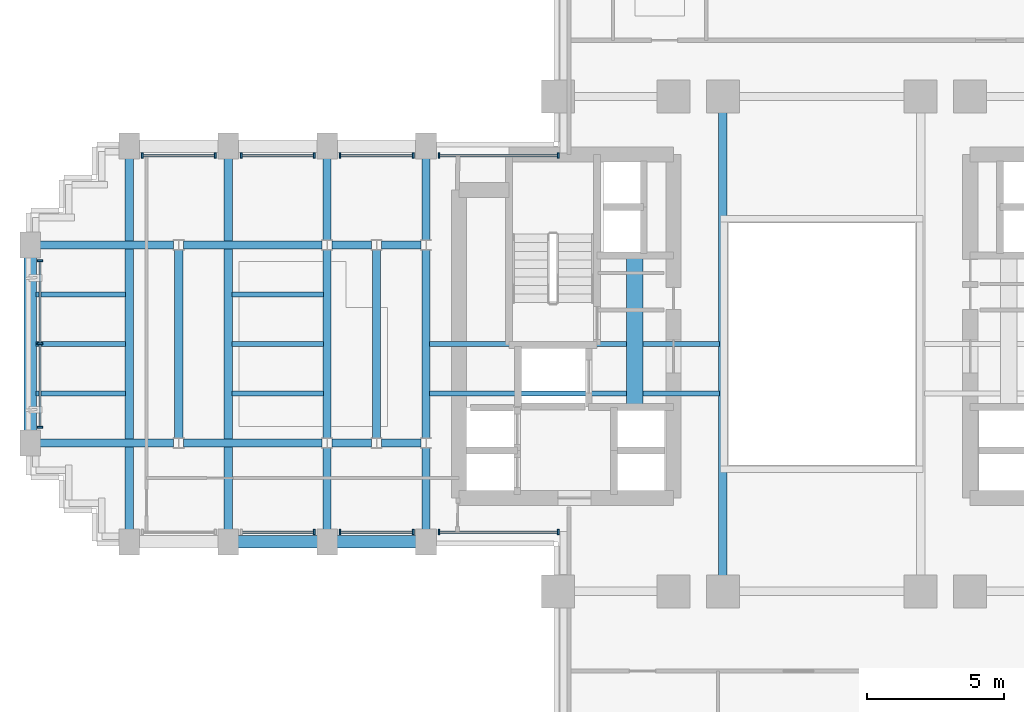
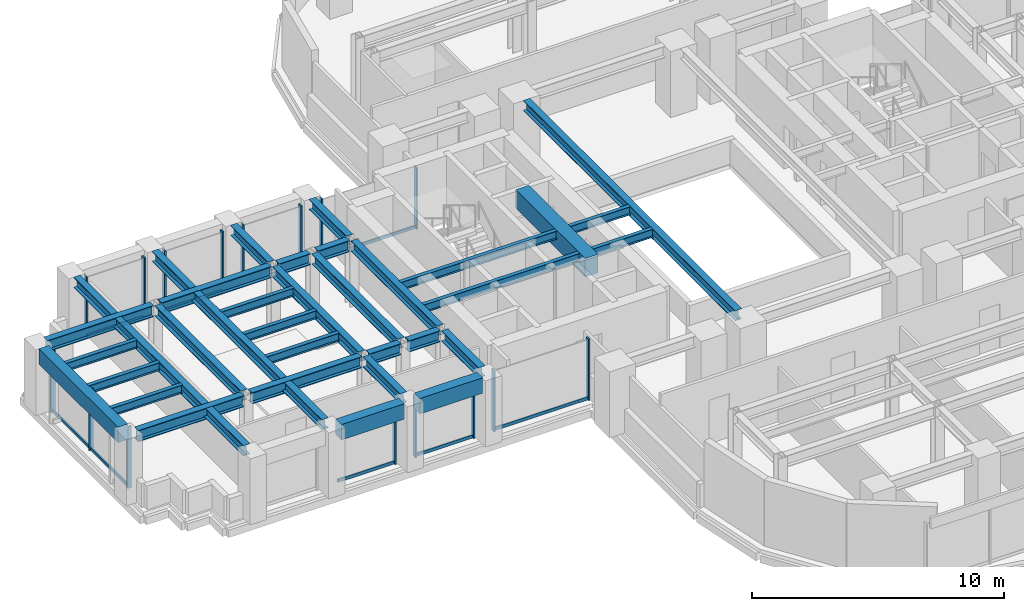
# One storey, part 4 of 16: 31 beams, 25 members, 8 elements without a shape of their own.
"""IFC4 building model written with IfcOpenShell, lengths in metres."""

from ifc_helpers import new_model, si_unit, direction, frame, origin, origin_2d, place, context, subcontext, project, spatial, rectangle, i_section, extrude, source, transform, mapped, material, material_profile, profile_set, type_object, element, aggregate, save


model = new_model("IFC4")

# Units and contexts
model_context = context("Model", 3, precision=1e-05, world=origin(), true_north=direction((0.0, 1.0)))
body_context = subcontext(model_context, "Body", "Model", "MODEL_VIEW")
ifc_project = project(units=[si_unit("LENGTHUNIT", "METRE"), si_unit("AREAUNIT", "SQUARE_METRE"), si_unit("VOLUMEUNIT", "CUBIC_METRE"), si_unit("PLANEANGLEUNIT", "RADIAN"), si_unit("MASSUNIT", "GRAM", prefix="KILO")], contexts=[model_context])

# Site, building, storey
site_placement = place(None, origin())
site = spatial("IfcSite", under=ifc_project, at=site_placement, CompositionType="ELEMENT")
building_placement = place(site_placement, origin())
building = spatial("IfcBuilding", under=site, at=building_placement, Name="Keilestroom Media Tower", CompositionType="ELEMENT")
storey_placement = place(building_placement, frame((0.0, 0.0, 51.0)))
storey = spatial("IfcBuildingStorey", under=building, at=storey_placement, Name="L12", CompositionType="ELEMENT", Elevation=51.0)

# Beams
ifc_material_1 = material(Name="Concrete C70/85", Category="concrete")
ifc_material_profile_1 = material_profile(ifc_material_1, rectangle(XDim=0.60009765625, YDim=0.89990234375, at=origin_2d()), Name="RC 600x900")
ifc_profile_set_1 = profile_set([ifc_material_profile_1], Name="Concrete C70/85")
beam_type_1 = type_object("IfcBeamType", Name="Core-Coupling-Lintel-Beam-RC-600x900", PredefinedType="LINTEL", material=ifc_profile_set_1)
shared_shape_1 = source(origin(), body_context, "Body", "SweptSolid", [
    extrude(rectangle(XDim=0.60009765625, YDim=0.89990234375, at=origin_2d()), origin(), (0.0, 0.0, 1.0), 5.52001953125),
])
beam_1_placement = place(storey_placement, frame((-6.800048828125, -2.300048828125, 2.75), z_axis=(0.0, 1.0, 0.0), x_axis=(-1.0, 0.0, 0.0)))
element("IfcBeam", 1, at=beam_1_placement, inside=storey, type_object=beam_type_1, Name="L12 Beam CLB-1 CLB-L12-W", PredefinedType="LINTEL", context=body_context, shape_type="MappedRepresentation", body=[
    mapped(shared_shape_1, transform((0.0, 0.0, 0.0), x_axis=(1.0, 0.0, 0.0), y_axis=(0.0, 1.0, 0.0), z_axis=(0.0, 0.0, 1.0), scale=1.0)),
])
ifc_material_2 = material(Name="Precast concrete C40/50", Category="concrete")
ifc_material_profile_2 = material_profile(ifc_material_2, rectangle(XDim=0.449951171875, YDim=0.75, at=origin_2d()), Name="PC 450x750")
ifc_profile_set_2 = profile_set([ifc_material_profile_2], Name="Precast concrete C40/50")
beam_type_2 = type_object("IfcBeamType", Name="Perimeter-Spandrel-Beam-PC-450x750", PredefinedType="SPANDREL", material=ifc_profile_set_2)
shared_shape_2 = source(origin(), body_context, "Body", "SweptSolid", [
    extrude(rectangle(XDim=0.449951171875, YDim=0.75, at=origin_2d()), origin(), (0.0, 0.0, 1.0), 6.2900390625),
])
beam_2_placement = place(storey_placement, frame((-28.800048828125, -3.14501953125, 2.824951171875), z_axis=(0.0, 1.0, 0.0), x_axis=(-1.0, 0.0, 0.0)))
element("IfcBeam", 2, at=beam_2_placement, inside=storey, type_object=beam_type_2, Name="L12 Beam SPB-1 BM-L12-NS-051", PredefinedType="SPANDREL", context=body_context, shape_type="MappedRepresentation", body=[
    mapped(shared_shape_2, transform((0.0, 0.0, 0.0), x_axis=(1.0, 0.0, 0.0), y_axis=(0.0, 1.0, 0.0), z_axis=(0.0, 0.0, 1.0), scale=1.0)),
])
shared_shape_3 = source(origin(), body_context, "Body", "SweptSolid", [
    extrude(rectangle(XDim=0.449951171875, YDim=0.75, at=origin_2d()), origin(), (0.0, 0.0, 1.0), 2.89013671875),
])
for number, where, z_axis, x_axis, name in (
    (3, (-21.2451171875, -7.199951171875, 2.824951171875), (1.0, 0.0, 0.0), (0.0, 1.0, 0.0), "L12 Beam SPB-1 BM-L12-EW-013"),
    (4, (-17.64501953125, -7.199951171875, 2.824951171875), (1.0, 0.0, 0.0), (0.0, 1.0, 0.0), "L12 Beam SPB-1 BM-L12-EW-014"),
):
    element("IfcBeam", number, at=place(storey_placement, frame(where, z_axis=z_axis, x_axis=x_axis)), inside=storey, type_object=beam_type_2, Name=name, PredefinedType="SPANDREL", context=body_context, shape_type="MappedRepresentation", body=[
        mapped(shared_shape_3, transform((0.0, 0.0, 0.0), x_axis=(1.0, 0.0, 0.0), y_axis=(0.0, 1.0, 0.0), z_axis=(0.0, 0.0, 1.0), scale=1.0)),
    ])
ifc_material_3 = material(Name="Steel S355", Category="steel")
ifc_material_profile_3 = material_profile(ifc_material_3, i_section(OverallWidth=0.300048828125, OverallDepth=0.550048828125, WebThickness=0.012939453125, FlangeThickness=0.029052734375, at=origin_2d()), Name="HEB 550")
ifc_profile_set_3 = profile_set([ifc_material_profile_3], Name="Steel S355")
beam_type_3 = type_object("IfcBeamType", Name="Primary-Structural-Girder-HEB-550", PredefinedType="BEAM", material=ifc_profile_set_3)
shared_shape_4 = source(origin(), body_context, "Body", "SweptSolid", [
    extrude(i_section(OverallWidth=0.300048828125, OverallDepth=0.550048828125, WebThickness=0.012939453125, FlangeThickness=0.029052734375, at=origin_2d()), origin(), (0.0, 0.0, 1.0), 4.863037109375),
])
for number, where, z_axis, x_axis, name in (
    (5, (-28.445068359375, -3.60009765625, 2.925048828125), (1.0, 0.0, 0.0), (0.0, 1.0, 0.0), "L12 Beam BG-5 BM-L12-EW-018"),
    (6, (-28.445068359375, 3.60009765625, 2.925048828125), (1.0, 0.0, 0.0), (0.0, 1.0, 0.0), "L12 Beam BG-5 BM-L12-EW-026"),
):
    element("IfcBeam", number, at=place(storey_placement, frame(where, z_axis=z_axis, x_axis=x_axis)), inside=storey, type_object=beam_type_3, Name=name, PredefinedType="BEAM", context=body_context, shape_type="MappedRepresentation", body=[
        mapped(shared_shape_4, transform((0.0, 0.0, 0.0), x_axis=(1.0, 0.0, 0.0), y_axis=(0.0, 1.0, 0.0), z_axis=(0.0, 0.0, 1.0), scale=1.0)),
    ])
shared_shape_5 = source(origin(), body_context, "Body", "SweptSolid", [
    extrude(i_section(OverallWidth=0.300048828125, OverallDepth=0.550048828125, WebThickness=0.012939453125, FlangeThickness=0.029052734375, at=origin_2d()), origin(), (0.0, 0.0, 1.0), 5.0361328125),
])
for number, where, z_axis, x_axis, name in (
    (7, (-23.218017578125, -3.60009765625, 2.925048828125), (1.0, 0.0, 0.0), (0.0, 1.0, 0.0), "L12 Beam BG-5 BM-L12-EW-019"),
    (8, (-23.218017578125, 3.60009765625, 2.925048828125), (1.0, 0.0, 0.0), (0.0, 1.0, 0.0), "L12 Beam BG-5 BM-L12-EW-027"),
):
    element("IfcBeam", number, at=place(storey_placement, frame(where, z_axis=z_axis, x_axis=x_axis)), inside=storey, type_object=beam_type_3, Name=name, PredefinedType="BEAM", context=body_context, shape_type="MappedRepresentation", body=[
        mapped(shared_shape_5, transform((0.0, 0.0, 0.0), x_axis=(1.0, 0.0, 0.0), y_axis=(0.0, 1.0, 0.0), z_axis=(0.0, 0.0, 1.0), scale=1.0)),
    ])
shared_shape_6 = source(origin(), body_context, "Body", "SweptSolid", [
    extrude(i_section(OverallWidth=0.300048828125, OverallDepth=0.550048828125, WebThickness=0.012939453125, FlangeThickness=0.029052734375, at=origin_2d()), origin(), (0.0, 0.0, 1.0), 1.43603515625),
])
for number, where, z_axis, x_axis, name in (
    (9, (-17.818115234375, -3.60009765625, 2.925048828125), (1.0, 0.0, 0.0), (0.0, 1.0, 0.0), "L12 Beam BG-5 BM-L12-EW-020"),
    (10, (-16.01806640625, -3.60009765625, 2.925048828125), (1.0, 0.0, 0.0), (0.0, 1.0, 0.0), "L12 Beam BG-5 BM-L12-EW-021"),
    (11, (-17.818115234375, 3.60009765625, 2.925048828125), (1.0, 0.0, 0.0), (0.0, 1.0, 0.0), "L12 Beam BG-5 BM-L12-EW-028"),
    (12, (-16.01806640625, 3.60009765625, 2.925048828125), (1.0, 0.0, 0.0), (0.0, 1.0, 0.0), "L12 Beam BG-5 BM-L12-EW-029"),
):
    element("IfcBeam", number, at=place(storey_placement, frame(where, z_axis=z_axis, x_axis=x_axis)), inside=storey, type_object=beam_type_3, Name=name, PredefinedType="BEAM", context=body_context, shape_type="MappedRepresentation", body=[
        mapped(shared_shape_6, transform((0.0, 0.0, 0.0), x_axis=(1.0, 0.0, 0.0), y_axis=(0.0, 1.0, 0.0), z_axis=(0.0, 0.0, 1.0), scale=1.0)),
    ])
ifc_material_profile_4 = material_profile(ifc_material_3, i_section(OverallWidth=0.300048828125, OverallDepth=0.5, WebThickness=0.012451171875, FlangeThickness=0.028076171875, at=origin_2d()), Name="HEB 500")
ifc_profile_set_4 = profile_set([ifc_material_profile_4], Name="Steel S355")
beam_type_4 = type_object("IfcBeamType", Name="Primary-Structural-Girder-HEB-500", PredefinedType="BEAM", material=ifc_profile_set_4)
shared_shape_7 = source(origin(), body_context, "Body", "SweptSolid", [
    extrude(i_section(OverallWidth=0.300048828125, OverallDepth=0.5, WebThickness=0.012451171875, FlangeThickness=0.028076171875, at=origin_2d()), origin(), (0.0, 0.0, 1.0), 13.490234375),
])
for number, where, z_axis, x_axis, name in (
    (13, (-25.199951171875, -6.7451171875, 2.949951171875), (0.0, 1.0, 0.0), (-1.0, 0.0, 0.0), "L12 Beam BG-6 BM-L12-NS-052"),
    (14, (-21.60009765625, -6.7451171875, 2.949951171875), (0.0, 1.0, 0.0), (-1.0, 0.0, 0.0), "L12 Beam BG-6 BM-L12-NS-054"),
):
    element("IfcBeam", number, at=place(storey_placement, frame(where, z_axis=z_axis, x_axis=x_axis)), inside=storey, type_object=beam_type_4, Name=name, PredefinedType="BEAM", context=body_context, shape_type="MappedRepresentation", body=[
        mapped(shared_shape_7, transform((0.0, 0.0, 0.0), x_axis=(1.0, 0.0, 0.0), y_axis=(0.0, 1.0, 0.0), z_axis=(0.0, 0.0, 1.0), scale=1.0)),
    ])
shared_shape_8 = source(origin(), body_context, "Body", "SweptSolid", [
    extrude(i_section(OverallWidth=0.300048828125, OverallDepth=0.5, WebThickness=0.012451171875, FlangeThickness=0.028076171875, at=origin_2d()), origin(), (0.0, 0.0, 1.0), 6.8330078125),
])
for number, where, z_axis, x_axis, name in (
    (15, (-23.39990234375, -3.41650390625, 2.949951171875), (0.0, 1.0, 0.0), (-1.0, 0.0, 0.0), "L12 Beam BG-6 BM-L12-NS-053"),
    (16, (-18.0, -3.41650390625, 2.949951171875), (0.0, 1.0, 0.0), (-1.0, 0.0, 0.0), "L12 Beam BG-6 BM-L12-NS-056"),
    (17, (-16.199951171875, -3.41650390625, 2.949951171875), (0.0, 1.0, 0.0), (-1.0, 0.0, 0.0), "L12 Beam BG-6 BM-L12-NS-058"),
    (18, (-14.39990234375, -3.41650390625, 2.949951171875), (0.0, 1.0, 0.0), (-1.0, 0.0, 0.0), "L12 Beam BG-6 BM-L12-NS-060"),
):
    element("IfcBeam", number, at=place(storey_placement, frame(where, z_axis=z_axis, x_axis=x_axis)), inside=storey, type_object=beam_type_4, Name=name, PredefinedType="BEAM", context=body_context, shape_type="MappedRepresentation", body=[
        mapped(shared_shape_8, transform((0.0, 0.0, 0.0), x_axis=(1.0, 0.0, 0.0), y_axis=(0.0, 1.0, 0.0), z_axis=(0.0, 0.0, 1.0), scale=1.0)),
    ])
shared_shape_9 = source(origin(), body_context, "Body", "SweptSolid", [
    extrude(i_section(OverallWidth=0.300048828125, OverallDepth=0.5, WebThickness=0.012451171875, FlangeThickness=0.028076171875, at=origin_2d()), origin(), (0.0, 0.0, 1.0), 2.961669921875),
])
for number, where, z_axis, x_axis, name in (
    (19, (-18.0, -6.7451171875, 2.949951171875), (0.0, 1.0, 0.0), (-1.0, 0.0, 0.0), "L12 Beam BG-6 BM-L12-NS-055"),
    (20, (-18.0, 3.783447265625, 2.949951171875), (0.0, 1.0, 0.0), (-1.0, 0.0, 0.0), "L12 Beam BG-6 BM-L12-NS-057"),
    (21, (-14.39990234375, -6.7451171875, 2.949951171875), (0.0, 1.0, 0.0), (-1.0, 0.0, 0.0), "L12 Beam BG-6 BM-L12-NS-059"),
    (22, (-14.39990234375, 3.783447265625, 2.949951171875), (0.0, 1.0, 0.0), (-1.0, 0.0, 0.0), "L12 Beam BG-6 BM-L12-NS-061"),
):
    element("IfcBeam", number, at=place(storey_placement, frame(where, z_axis=z_axis, x_axis=x_axis)), inside=storey, type_object=beam_type_4, Name=name, PredefinedType="BEAM", context=body_context, shape_type="MappedRepresentation", body=[
        mapped(shared_shape_9, transform((0.0, 0.0, 0.0), x_axis=(1.0, 0.0, 0.0), y_axis=(0.0, 1.0, 0.0), z_axis=(0.0, 0.0, 1.0), scale=1.0)),
    ])
shared_shape_10 = source(origin(), body_context, "Body", "SweptSolid", [
    extrude(i_section(OverallWidth=0.300048828125, OverallDepth=0.5, WebThickness=0.012451171875, FlangeThickness=0.028076171875, at=origin_2d()), origin(), (0.0, 0.0, 1.0), 16.83984375),
])
beam_3_placement = place(storey_placement, frame((-3.60009765625, -8.419921875, 2.949951171875), z_axis=(0.0, 1.0, 0.0), x_axis=(-1.0, 0.0, 0.0)))
element("IfcBeam", 23, at=beam_3_placement, inside=storey, type_object=beam_type_4, Name="L12 Beam BG-6 BM-L12-NS-066", PredefinedType="BEAM", context=body_context, shape_type="MappedRepresentation", body=[
    mapped(shared_shape_10, transform((0.0, 0.0, 0.0), x_axis=(1.0, 0.0, 0.0), y_axis=(0.0, 1.0, 0.0), z_axis=(0.0, 0.0, 1.0), scale=1.0)),
])
ifc_material_profile_5 = material_profile(ifc_material_3, i_section(OverallWidth=0.179931640625, OverallDepth=0.39990234375, WebThickness=0.008544921875, FlangeThickness=0.013427734375, at=origin_2d()), Name="IPE 400")
ifc_profile_set_5 = profile_set([ifc_material_profile_5], Name="Steel S355")
beam_type_5 = type_object("IfcBeamType", Name="Secondary-Floor-Joist-IPE-400", PredefinedType="JOIST", material=ifc_profile_set_5)
shared_shape_11 = source(origin(), body_context, "Body", "SweptSolid", [
    extrude(i_section(OverallWidth=0.179931640625, OverallDepth=0.39990234375, WebThickness=0.008544921875, FlangeThickness=0.013427734375, at=origin_2d()), origin(), (0.0, 0.0, 1.0), 3.264892578125),
])
for number, where, z_axis, x_axis, name in (
    (24, (-28.594970703125, -1.800048828125, 3.0), (1.0, 0.0, 0.0), (0.0, 1.0, 0.0), "L12 Beam BJ-4 JST-L12-089"),
    (25, (-28.594970703125, 0.0, 3.0), (1.0, 0.0, 0.0), (0.0, 1.0, 0.0), "L12 Beam BJ-4 JST-L12-096"),
    (26, (-28.594970703125, 1.800048828125, 3.0), (1.0, 0.0, 0.0), (0.0, 1.0, 0.0), "L12 Beam BJ-4 JST-L12-103"),
):
    element("IfcBeam", number, at=place(storey_placement, frame(where, z_axis=z_axis, x_axis=x_axis)), inside=storey, type_object=beam_type_5, Name=name, PredefinedType="JOIST", context=body_context, shape_type="MappedRepresentation", body=[
        mapped(shared_shape_11, transform((0.0, 0.0, 0.0), x_axis=(1.0, 0.0, 0.0), y_axis=(0.0, 1.0, 0.0), z_axis=(0.0, 0.0, 1.0), scale=1.0)),
    ])
shared_shape_12 = source(origin(), body_context, "Body", "SweptSolid", [
    extrude(i_section(OverallWidth=0.179931640625, OverallDepth=0.39990234375, WebThickness=0.008544921875, FlangeThickness=0.013427734375, at=origin_2d()), origin(), (0.0, 0.0, 1.0), 3.340087890625),
])
for number, where, z_axis, x_axis, name in (
    (27, (-21.469970703125, -1.800048828125, 3.0), (1.0, 0.0, 0.0), (0.0, 1.0, 0.0), "L12 Beam BJ-4 JST-L12-090"),
    (28, (-21.469970703125, 0.0, 3.0), (1.0, 0.0, 0.0), (0.0, 1.0, 0.0), "L12 Beam BJ-4 JST-L12-097"),
    (29, (-21.469970703125, 1.800048828125, 3.0), (1.0, 0.0, 0.0), (0.0, 1.0, 0.0), "L12 Beam BJ-4 JST-L12-104"),
):
    element("IfcBeam", number, at=place(storey_placement, frame(where, z_axis=z_axis, x_axis=x_axis)), inside=storey, type_object=beam_type_5, Name=name, PredefinedType="JOIST", context=body_context, shape_type="MappedRepresentation", body=[
        mapped(shared_shape_12, transform((0.0, 0.0, 0.0), x_axis=(1.0, 0.0, 0.0), y_axis=(0.0, 1.0, 0.0), z_axis=(0.0, 0.0, 1.0), scale=1.0)),
    ])
shared_shape_13 = source(origin(), body_context, "Body", "SweptSolid", [
    extrude(i_section(OverallWidth=0.179931640625, OverallDepth=0.39990234375, WebThickness=0.008544921875, FlangeThickness=0.013427734375, at=origin_2d()), origin(), (0.0, 0.0, 1.0), 10.5400390625),
])
for number, where, z_axis, x_axis, name in (
    (30, (-14.27001953125, -1.800048828125, 3.0), (1.0, 0.0, 0.0), (0.0, 1.0, 0.0), "L12 Beam BJ-4 JST-L12-091"),
    (31, (-14.27001953125, 0.0, 3.0), (1.0, 0.0, 0.0), (0.0, 1.0, 0.0), "L12 Beam BJ-4 JST-L12-098"),
):
    element("IfcBeam", number, at=place(storey_placement, frame(where, z_axis=z_axis, x_axis=x_axis)), inside=storey, type_object=beam_type_5, Name=name, PredefinedType="JOIST", context=body_context, shape_type="MappedRepresentation", body=[
        mapped(shared_shape_13, transform((0.0, 0.0, 0.0), x_axis=(1.0, 0.0, 0.0), y_axis=(0.0, 1.0, 0.0), z_axis=(0.0, 0.0, 1.0), scale=1.0)),
    ])

# Curtain wall, members
ifc_material_4 = material(Name="Anodised Aluminium Alloy", Category="aluminium")
curtain_wall_type = type_object("IfcCurtainWallType", Name="Unitised-Curtain-Wall-CW-1", PredefinedType="NOTDEFINED", material=ifc_material_4)
curtain_wall_1_placement = place(storey_placement, origin())
curtain_wall_1 = element("IfcCurtainWall", 32, at=curtain_wall_1_placement, inside=storey, type_object=curtain_wall_type, Name="L12 Curtain Wall CW-1 CW-L12-W-1", PredefinedType="NOTDEFINED")
ifc_material_profile_6 = material_profile(ifc_material_4, rectangle(XDim=0.070068359375, YDim=0.199951171875, at=origin_2d()), Name="ALU MULLION 70x200")
ifc_profile_set_6 = profile_set([ifc_material_profile_6], Name="Anodised Aluminium Alloy")
member_type_1 = type_object("IfcMemberType", Name="Curtain-Wall-Mullion-CW-1", PredefinedType="MULLION", material=ifc_profile_set_6)
shared_shape_14 = source(origin(), body_context, "Body", "SweptSolid", [
    extrude(rectangle(XDim=0.070068359375, YDim=0.199951171875, at=origin_2d()), origin(), (0.0, 0.0, 1.0), 2.97998046875),
])
member_1_placement = place(storey_placement, frame((-28.449951171875, -3.030029296875, 0.0), z_axis=(0.0, 0.0, 1.0), x_axis=(0.0, 1.0, 0.0)))
member_1 = element("IfcMember", 33, at=member_1_placement, type_object=member_type_1, Name="CW-1 Mullion 00", PredefinedType="MULLION", context=body_context, shape_type="MappedRepresentation", body=[
    mapped(shared_shape_14, transform((0.0, 0.0, 0.0), x_axis=(1.0, 0.0, 0.0), y_axis=(0.0, 1.0, 0.0), z_axis=(0.0, 0.0, 1.0), scale=1.0)),
])
member_2_placement = place(storey_placement, frame((-28.449951171875, 0.0, 0.0), z_axis=(0.0, 0.0, 1.0), x_axis=(0.0, 1.0, 0.0)))
member_2 = element("IfcMember", 34, at=member_2_placement, type_object=member_type_1, Name="CW-1 Mullion 01", PredefinedType="MULLION", context=body_context, shape_type="MappedRepresentation", body=[
    mapped(shared_shape_14, transform((0.0, 0.0, 0.0), x_axis=(1.0, 0.0, 0.0), y_axis=(0.0, 1.0, 0.0), z_axis=(0.0, 0.0, 1.0), scale=1.0)),
])
member_3_placement = place(storey_placement, frame((-28.449951171875, 3.030029296875, 0.0), z_axis=(0.0, 0.0, 1.0), x_axis=(0.0, 1.0, 0.0)))
member_3 = element("IfcMember", 35, at=member_3_placement, type_object=member_type_1, Name="CW-1 Mullion 02", PredefinedType="MULLION", context=body_context, shape_type="MappedRepresentation", body=[
    mapped(shared_shape_14, transform((0.0, 0.0, 0.0), x_axis=(1.0, 0.0, 0.0), y_axis=(0.0, 1.0, 0.0), z_axis=(0.0, 0.0, 1.0), scale=1.0)),
])

curtain_wall_2_placement = place(storey_placement, origin())
curtain_wall_2 = element("IfcCurtainWall", 36, at=curtain_wall_2_placement, inside=storey, type_object=curtain_wall_type, Name="L12 Curtain Wall CW-1 CW-L12-NW-1", PredefinedType="NOTDEFINED")
member_4_placement = place(storey_placement, frame((-24.72998046875, 6.85009765625, 0.0), z_axis=(0.0, 0.0, 1.0), x_axis=(1.0, 0.0, 0.0)))
member_4 = element("IfcMember", 37, at=member_4_placement, type_object=member_type_1, Name="CW-1 Mullion 00", PredefinedType="MULLION", context=body_context, shape_type="MappedRepresentation", body=[
    mapped(shared_shape_14, transform((0.0, 0.0, 0.0), x_axis=(1.0, 0.0, 0.0), y_axis=(0.0, 1.0, 0.0), z_axis=(0.0, 0.0, 1.0), scale=1.0)),
])
member_5_placement = place(storey_placement, frame((-22.070068359375, 6.85009765625, 0.0), z_axis=(0.0, 0.0, 1.0), x_axis=(1.0, 0.0, 0.0)))
member_5 = element("IfcMember", 38, at=member_5_placement, type_object=member_type_1, Name="CW-1 Mullion 01", PredefinedType="MULLION", context=body_context, shape_type="MappedRepresentation", body=[
    mapped(shared_shape_14, transform((0.0, 0.0, 0.0), x_axis=(1.0, 0.0, 0.0), y_axis=(0.0, 1.0, 0.0), z_axis=(0.0, 0.0, 1.0), scale=1.0)),
])

curtain_wall_3_placement = place(storey_placement, origin())
curtain_wall_3 = element("IfcCurtainWall", 39, at=curtain_wall_3_placement, inside=storey, type_object=curtain_wall_type, Name="L12 Curtain Wall CW-1 CW-L12-NW-2", PredefinedType="NOTDEFINED")
member_6_placement = place(storey_placement, frame((-21.1298828125, 6.85009765625, 0.0), z_axis=(0.0, 0.0, 1.0), x_axis=(1.0, 0.0, 0.0)))
member_6 = element("IfcMember", 40, at=member_6_placement, type_object=member_type_1, Name="CW-1 Mullion 00", PredefinedType="MULLION", context=body_context, shape_type="MappedRepresentation", body=[
    mapped(shared_shape_14, transform((0.0, 0.0, 0.0), x_axis=(1.0, 0.0, 0.0), y_axis=(0.0, 1.0, 0.0), z_axis=(0.0, 0.0, 1.0), scale=1.0)),
])
member_7_placement = place(storey_placement, frame((-18.469970703125, 6.85009765625, 0.0), z_axis=(0.0, 0.0, 1.0), x_axis=(1.0, 0.0, 0.0)))
member_7 = element("IfcMember", 41, at=member_7_placement, type_object=member_type_1, Name="CW-1 Mullion 01", PredefinedType="MULLION", context=body_context, shape_type="MappedRepresentation", body=[
    mapped(shared_shape_14, transform((0.0, 0.0, 0.0), x_axis=(1.0, 0.0, 0.0), y_axis=(0.0, 1.0, 0.0), z_axis=(0.0, 0.0, 1.0), scale=1.0)),
])

curtain_wall_4_placement = place(storey_placement, origin())
curtain_wall_4 = element("IfcCurtainWall", 42, at=curtain_wall_4_placement, inside=storey, type_object=curtain_wall_type, Name="L12 Curtain Wall CW-1 CW-L12-NW-3", PredefinedType="NOTDEFINED")
member_8_placement = place(storey_placement, frame((-17.530029296875, 6.85009765625, 0.0), z_axis=(0.0, 0.0, 1.0), x_axis=(1.0, 0.0, 0.0)))
member_8 = element("IfcMember", 43, at=member_8_placement, type_object=member_type_1, Name="CW-1 Mullion 00", PredefinedType="MULLION", context=body_context, shape_type="MappedRepresentation", body=[
    mapped(shared_shape_14, transform((0.0, 0.0, 0.0), x_axis=(1.0, 0.0, 0.0), y_axis=(0.0, 1.0, 0.0), z_axis=(0.0, 0.0, 1.0), scale=1.0)),
])
member_9_placement = place(storey_placement, frame((-14.8701171875, 6.85009765625, 0.0), z_axis=(0.0, 0.0, 1.0), x_axis=(1.0, 0.0, 0.0)))
member_9 = element("IfcMember", 44, at=member_9_placement, type_object=member_type_1, Name="CW-1 Mullion 01", PredefinedType="MULLION", context=body_context, shape_type="MappedRepresentation", body=[
    mapped(shared_shape_14, transform((0.0, 0.0, 0.0), x_axis=(1.0, 0.0, 0.0), y_axis=(0.0, 1.0, 0.0), z_axis=(0.0, 0.0, 1.0), scale=1.0)),
])

curtain_wall_5_placement = place(storey_placement, origin())
curtain_wall_5 = element("IfcCurtainWall", 45, at=curtain_wall_5_placement, inside=storey, type_object=curtain_wall_type, Name="L12 Curtain Wall CW-1 CW-L12-NW-4", PredefinedType="NOTDEFINED")
member_10_placement = place(storey_placement, frame((-13.929931640625, 6.85009765625, 0.0), z_axis=(0.0, 0.0, 1.0), x_axis=(1.0, 0.0, 0.0)))
member_10 = element("IfcMember", 46, at=member_10_placement, type_object=member_type_1, Name="CW-1 Mullion 00", PredefinedType="MULLION", context=body_context, shape_type="MappedRepresentation", body=[
    mapped(shared_shape_14, transform((0.0, 0.0, 0.0), x_axis=(1.0, 0.0, 0.0), y_axis=(0.0, 1.0, 0.0), z_axis=(0.0, 0.0, 1.0), scale=1.0)),
])
member_11_placement = place(storey_placement, frame((-9.5849609375, 6.85009765625, 0.0), z_axis=(0.0, 0.0, 1.0), x_axis=(1.0, 0.0, 0.0)))
member_11 = element("IfcMember", 47, at=member_11_placement, type_object=member_type_1, Name="CW-1 Mullion 01", PredefinedType="MULLION", context=body_context, shape_type="MappedRepresentation", body=[
    mapped(shared_shape_14, transform((0.0, 0.0, 0.0), x_axis=(1.0, 0.0, 0.0), y_axis=(0.0, 1.0, 0.0), z_axis=(0.0, 0.0, 1.0), scale=1.0)),
])

# Curtain wall, member
curtain_wall_6_placement = place(storey_placement, origin())
curtain_wall_6 = element("IfcCurtainWall", 48, at=curtain_wall_6_placement, inside=storey, type_object=curtain_wall_type, Name="L12 Curtain Wall CW-1 CW-L12-SW-2", PredefinedType="NOTDEFINED")
member_12_placement = place(storey_placement, frame((-18.469970703125, -6.85009765625, 0.0), z_axis=(0.0, 0.0, 1.0), x_axis=(1.0, 0.0, 0.0)))
member_12 = element("IfcMember", 49, at=member_12_placement, type_object=member_type_1, Name="CW-1 Mullion 01", PredefinedType="MULLION", context=body_context, shape_type="MappedRepresentation", body=[
    mapped(shared_shape_14, transform((0.0, 0.0, 0.0), x_axis=(1.0, 0.0, 0.0), y_axis=(0.0, 1.0, 0.0), z_axis=(0.0, 0.0, 1.0), scale=1.0)),
])

# Curtain wall, members
curtain_wall_7_placement = place(storey_placement, origin())
curtain_wall_7 = element("IfcCurtainWall", 50, at=curtain_wall_7_placement, inside=storey, type_object=curtain_wall_type, Name="L12 Curtain Wall CW-1 CW-L12-SW-3", PredefinedType="NOTDEFINED")
member_13_placement = place(storey_placement, frame((-17.530029296875, -6.85009765625, 0.0), z_axis=(0.0, 0.0, 1.0), x_axis=(1.0, 0.0, 0.0)))
member_13 = element("IfcMember", 51, at=member_13_placement, type_object=member_type_1, Name="CW-1 Mullion 00", PredefinedType="MULLION", context=body_context, shape_type="MappedRepresentation", body=[
    mapped(shared_shape_14, transform((0.0, 0.0, 0.0), x_axis=(1.0, 0.0, 0.0), y_axis=(0.0, 1.0, 0.0), z_axis=(0.0, 0.0, 1.0), scale=1.0)),
])
member_14_placement = place(storey_placement, frame((-14.8701171875, -6.85009765625, 0.0), z_axis=(0.0, 0.0, 1.0), x_axis=(1.0, 0.0, 0.0)))
member_14 = element("IfcMember", 52, at=member_14_placement, type_object=member_type_1, Name="CW-1 Mullion 01", PredefinedType="MULLION", context=body_context, shape_type="MappedRepresentation", body=[
    mapped(shared_shape_14, transform((0.0, 0.0, 0.0), x_axis=(1.0, 0.0, 0.0), y_axis=(0.0, 1.0, 0.0), z_axis=(0.0, 0.0, 1.0), scale=1.0)),
])

curtain_wall_8_placement = place(storey_placement, origin())
curtain_wall_8 = element("IfcCurtainWall", 53, at=curtain_wall_8_placement, inside=storey, type_object=curtain_wall_type, Name="L12 Curtain Wall CW-1 CW-L12-SW-4", PredefinedType="NOTDEFINED")
member_15_placement = place(storey_placement, frame((-13.929931640625, -6.85009765625, 0.0), z_axis=(0.0, 0.0, 1.0), x_axis=(1.0, 0.0, 0.0)))
member_15 = element("IfcMember", 54, at=member_15_placement, type_object=member_type_1, Name="CW-1 Mullion 00", PredefinedType="MULLION", context=body_context, shape_type="MappedRepresentation", body=[
    mapped(shared_shape_14, transform((0.0, 0.0, 0.0), x_axis=(1.0, 0.0, 0.0), y_axis=(0.0, 1.0, 0.0), z_axis=(0.0, 0.0, 1.0), scale=1.0)),
])
member_16_placement = place(storey_placement, frame((-9.5849609375, -6.85009765625, 0.0), z_axis=(0.0, 0.0, 1.0), x_axis=(1.0, 0.0, 0.0)))
member_16 = element("IfcMember", 55, at=member_16_placement, type_object=member_type_1, Name="CW-1 Mullion 01", PredefinedType="MULLION", context=body_context, shape_type="MappedRepresentation", body=[
    mapped(shared_shape_14, transform((0.0, 0.0, 0.0), x_axis=(1.0, 0.0, 0.0), y_axis=(0.0, 1.0, 0.0), z_axis=(0.0, 0.0, 1.0), scale=1.0)),
])

# Member
ifc_material_profile_7 = material_profile(ifc_material_4, rectangle(XDim=0.06494140625, YDim=0.14990234375, at=origin_2d()), Name="ALU TRANSOM 65x150")
ifc_profile_set_7 = profile_set([ifc_material_profile_7], Name="Anodised Aluminium Alloy")
member_type_2 = type_object("IfcMemberType", Name="Curtain-Wall-Transom-CW-1", PredefinedType="USERDEFINED", material=ifc_profile_set_7)
shared_shape_15 = source(origin(), body_context, "Body", "SweptSolid", [
    extrude(rectangle(XDim=0.06494140625, YDim=0.14990234375, at=origin_2d()), origin(), (0.0, 0.0, 1.0), 2.964111328125),
])
member_17_placement = place(storey_placement, frame((-28.449951171875, -2.9970703125, 0.074951171875), z_axis=(0.0, 1.0, 0.0), x_axis=(-1.0, 0.0, 0.0)))
member_17 = element("IfcMember", 56, at=member_17_placement, type_object=member_type_2, Name="CW-1 Transom 00.1", ObjectType="TRANSOM", PredefinedType="USERDEFINED", context=body_context, shape_type="MappedRepresentation", body=[
    mapped(shared_shape_15, transform((0.0, 0.0, 0.0), x_axis=(1.0, 0.0, 0.0), y_axis=(0.0, 1.0, 0.0), z_axis=(0.0, 0.0, 1.0), scale=1.0)),
])

member_18_placement = place(storey_placement, frame((-28.449951171875, 0.032958984375, 0.074951171875), z_axis=(0.0, 1.0, 0.0), x_axis=(-1.0, 0.0, 0.0)))
member_18 = element("IfcMember", 57, at=member_18_placement, type_object=member_type_2, Name="CW-1 Transom 01.1", ObjectType="TRANSOM", PredefinedType="USERDEFINED", context=body_context, shape_type="MappedRepresentation", body=[
    mapped(shared_shape_15, transform((0.0, 0.0, 0.0), x_axis=(1.0, 0.0, 0.0), y_axis=(0.0, 1.0, 0.0), z_axis=(0.0, 0.0, 1.0), scale=1.0)),
])

aggregate(curtain_wall_1, [member_1, member_2, member_3, member_17, member_18])

shared_shape_16 = source(origin(), body_context, "Body", "SweptSolid", [
    extrude(rectangle(XDim=0.06494140625, YDim=0.14990234375, at=origin_2d()), origin(), (0.0, 0.0, 1.0), 2.593994140625),
])
member_19_placement = place(storey_placement, frame((-24.697021484375, 6.85009765625, 0.074951171875), z_axis=(1.0, 0.0, 0.0), x_axis=(0.0, 1.0, 0.0)))
member_19 = element("IfcMember", 58, at=member_19_placement, type_object=member_type_2, Name="CW-1 Transom 00.1", ObjectType="TRANSOM", PredefinedType="USERDEFINED", context=body_context, shape_type="MappedRepresentation", body=[
    mapped(shared_shape_16, transform((0.0, 0.0, 0.0), x_axis=(1.0, 0.0, 0.0), y_axis=(0.0, 1.0, 0.0), z_axis=(0.0, 0.0, 1.0), scale=1.0)),
])

aggregate(curtain_wall_2, [member_4, member_5, member_19])

member_20_placement = place(storey_placement, frame((-21.096923828125, 6.85009765625, 0.074951171875), z_axis=(1.0, 0.0, 0.0), x_axis=(0.0, 1.0, 0.0)))
member_20 = element("IfcMember", 59, at=member_20_placement, type_object=member_type_2, Name="CW-1 Transom 00.1", ObjectType="TRANSOM", PredefinedType="USERDEFINED", context=body_context, shape_type="MappedRepresentation", body=[
    mapped(shared_shape_16, transform((0.0, 0.0, 0.0), x_axis=(1.0, 0.0, 0.0), y_axis=(0.0, 1.0, 0.0), z_axis=(0.0, 0.0, 1.0), scale=1.0)),
])

aggregate(curtain_wall_3, [member_6, member_7, member_20])

member_21_placement = place(storey_placement, frame((-17.4970703125, 6.85009765625, 0.074951171875), z_axis=(1.0, 0.0, 0.0), x_axis=(0.0, 1.0, 0.0)))
member_21 = element("IfcMember", 60, at=member_21_placement, type_object=member_type_2, Name="CW-1 Transom 00.1", ObjectType="TRANSOM", PredefinedType="USERDEFINED", context=body_context, shape_type="MappedRepresentation", body=[
    mapped(shared_shape_16, transform((0.0, 0.0, 0.0), x_axis=(1.0, 0.0, 0.0), y_axis=(0.0, 1.0, 0.0), z_axis=(0.0, 0.0, 1.0), scale=1.0)),
])

aggregate(curtain_wall_4, [member_8, member_9, member_21])

member_22_placement = place(storey_placement, frame((-21.096923828125, -6.85009765625, 0.074951171875), z_axis=(1.0, 0.0, 0.0), x_axis=(0.0, 1.0, 0.0)))
member_22 = element("IfcMember", 61, at=member_22_placement, type_object=member_type_2, Name="CW-1 Transom 00.1", ObjectType="TRANSOM", PredefinedType="USERDEFINED", context=body_context, shape_type="MappedRepresentation", body=[
    mapped(shared_shape_16, transform((0.0, 0.0, 0.0), x_axis=(1.0, 0.0, 0.0), y_axis=(0.0, 1.0, 0.0), z_axis=(0.0, 0.0, 1.0), scale=1.0)),
])

aggregate(curtain_wall_6, [member_12, member_22])

member_23_placement = place(storey_placement, frame((-17.4970703125, -6.85009765625, 0.074951171875), z_axis=(1.0, 0.0, 0.0), x_axis=(0.0, 1.0, 0.0)))
member_23 = element("IfcMember", 62, at=member_23_placement, type_object=member_type_2, Name="CW-1 Transom 00.1", ObjectType="TRANSOM", PredefinedType="USERDEFINED", context=body_context, shape_type="MappedRepresentation", body=[
    mapped(shared_shape_16, transform((0.0, 0.0, 0.0), x_axis=(1.0, 0.0, 0.0), y_axis=(0.0, 1.0, 0.0), z_axis=(0.0, 0.0, 1.0), scale=1.0)),
])

aggregate(curtain_wall_7, [member_13, member_14, member_23])

shared_shape_17 = source(origin(), body_context, "Body", "SweptSolid", [
    extrude(rectangle(XDim=0.06494140625, YDim=0.14990234375, at=origin_2d()), origin(), (0.0, 0.0, 1.0), 4.279052734375),
])
member_24_placement = place(storey_placement, frame((-13.89697265625, 6.85009765625, 0.074951171875), z_axis=(1.0, 0.0, 0.0), x_axis=(0.0, 1.0, 0.0)))
member_24 = element("IfcMember", 63, at=member_24_placement, type_object=member_type_2, Name="CW-1 Transom 00.1", ObjectType="TRANSOM", PredefinedType="USERDEFINED", context=body_context, shape_type="MappedRepresentation", body=[
    mapped(shared_shape_17, transform((0.0, 0.0, 0.0), x_axis=(1.0, 0.0, 0.0), y_axis=(0.0, 1.0, 0.0), z_axis=(0.0, 0.0, 1.0), scale=1.0)),
])

aggregate(curtain_wall_5, [member_10, member_11, member_24])

member_25_placement = place(storey_placement, frame((-13.89697265625, -6.85009765625, 0.074951171875), z_axis=(1.0, 0.0, 0.0), x_axis=(0.0, 1.0, 0.0)))
member_25 = element("IfcMember", 64, at=member_25_placement, type_object=member_type_2, Name="CW-1 Transom 00.1", ObjectType="TRANSOM", PredefinedType="USERDEFINED", context=body_context, shape_type="MappedRepresentation", body=[
    mapped(shared_shape_17, transform((0.0, 0.0, 0.0), x_axis=(1.0, 0.0, 0.0), y_axis=(0.0, 1.0, 0.0), z_axis=(0.0, 0.0, 1.0), scale=1.0)),
])

aggregate(curtain_wall_8, [member_15, member_16, member_25])

save(model, "model.ifc")
